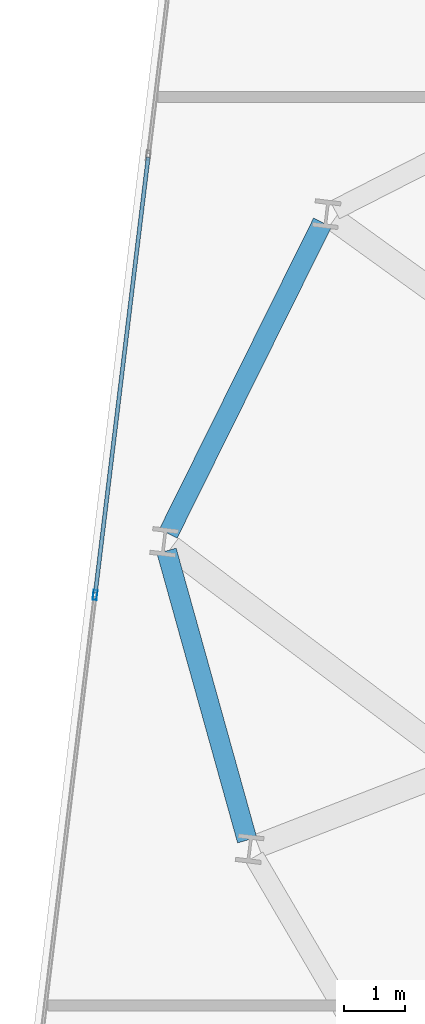
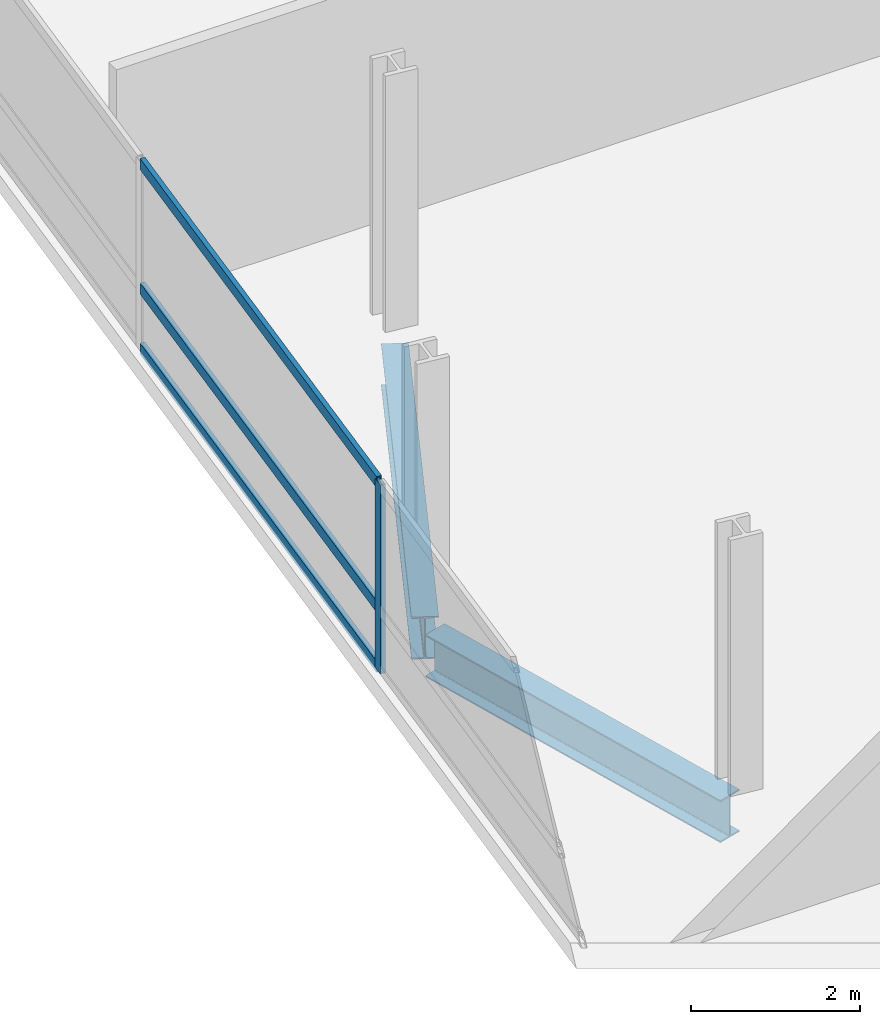
# One storey, part 8 of 25: 4 members, 2 beams, 1 element without a shape of its own.
"""IFC4 building model written with IfcOpenShell, lengths in metres."""

from ifc_helpers import new_model, si_unit, direction, frame, origin, origin_2d, place, context, subcontext, project, spatial, hollow_rectangle, i_section, extrude, material, layer, layer_set, material_profile, profile_set, type_object, element, aggregate, save


model = new_model("IFC4")

# Units and contexts
model_context = context("Model", 3, precision=1e-05, world=origin(), true_north=direction((0.0, 1.0)))
body_context = subcontext(model_context, "Body", "Model", "MODEL_VIEW")
ifc_project = project(units=[si_unit("LENGTHUNIT", "METRE"), si_unit("AREAUNIT", "SQUARE_METRE"), si_unit("VOLUMEUNIT", "CUBIC_METRE"), si_unit("PLANEANGLEUNIT", "RADIAN"), si_unit("MASSUNIT", "GRAM", prefix="KILO")], contexts=[model_context])

# Site, building, storey
site_placement = place(None, origin())
site = spatial("IfcSite", under=ifc_project, at=site_placement, CompositionType="ELEMENT")
building_placement = place(site_placement, origin())
building = spatial("IfcBuilding", under=site, at=building_placement, Name="Varnelok Gate Tower", CompositionType="ELEMENT")
storey_placement = place(building_placement, frame((0.0, 0.0, 136.5)))
storey = spatial("IfcBuildingStorey", under=building, at=storey_placement, Name="L34", CompositionType="ELEMENT", Elevation=136.5)

# Beams
ifc_material_1 = material(Name="Structural Steel ASTM A992 Grade 50", Category="steel")
ifc_material_profile_1 = material_profile(ifc_material_1, i_section(OverallWidth=0.323974609375, OverallDepth=0.611083984375, WebThickness=0.0126953125, FlangeThickness=0.01904296875, FilletRadius=0.01806640625, at=origin_2d()), Name="W24X104")
ifc_profile_set_1 = profile_set([ifc_material_profile_1], Name="Structural Steel ASTM A992 Grade 50")
beam_type = type_object("IfcBeamType", Name="BM-SPN-W24X104", PredefinedType="SPANDREL", material=ifc_profile_set_1)
beam_1_placement = place(storey_placement, frame((6.54052734375, 39.391357421875, -0.555419921875), z_axis=(-0.444186129993, -0.89593452993, 0.0), x_axis=(0.89593452993, -0.444186129993, 0.0)))
element("IfcBeam", 1, at=beam_1_placement, inside=storey, type_object=beam_type, Name="L34 Perimeter Spandrel Beam 14", PredefinedType="SPANDREL", context=body_context, shape_type="SweptSolid", body=[
    extrude(i_section(OverallWidth=0.323974609375, OverallDepth=0.611083984375, WebThickness=0.0126953125, FlangeThickness=0.01904296875, FilletRadius=0.01806640625, at=origin_2d()), origin(), (0.0, 0.0, 1.0), 5.649658203125),
])
beam_2_placement = place(storey_placement, frame((4.004638671875, 34.050537109375, -0.555419921875), z_axis=(0.268350251133, -0.963321411948, 0.0), x_axis=(0.963321411948, 0.268350251133, 0.0)))
element("IfcBeam", 2, at=beam_2_placement, inside=storey, type_object=beam_type, Name="L34 Perimeter Spandrel Beam 15", PredefinedType="SPANDREL", context=body_context, shape_type="SweptSolid", body=[
    extrude(i_section(OverallWidth=0.323974609375, OverallDepth=0.611083984375, WebThickness=0.0126953125, FlangeThickness=0.01904296875, FilletRadius=0.01806640625, at=origin_2d()), origin(), (0.0, 0.0, 1.0), 4.8837890625),
])

# Curtain wall, members
ifc_material_2 = material(Name="Anodized Aluminum Alloy 6063-T6", Category="aluminium")
ifc_layer = layer(ifc_material_2, 0.179931640625)
ifc_layer_set = layer_set([ifc_layer], Name="Anodized Aluminum Alloy 6063-T6")
curtain_wall_type = type_object("IfcCurtainWallType", Name="CW3-HOTEL-VISION", PredefinedType="USERDEFINED", material=ifc_layer_set)
curtain_wall_placement = place(storey_placement, origin())
curtain_wall = element("IfcCurtainWall", 3, at=curtain_wall_placement, inside=storey, type_object=curtain_wall_type, Name="L34 West End Vision Curtain Wall", ObjectType="UNITISED CURTAIN WALL", PredefinedType="USERDEFINED")
ifc_material_profile_2 = material_profile(ifc_material_2, hollow_rectangle(XDim=0.06494140625, YDim=0.159912109375, WallThickness=0.00390625, at=origin_2d()), Name="ALU160X65X4")
ifc_profile_set_2 = profile_set([ifc_material_profile_2], Name="Anodized Aluminum Alloy 6063-T6")
member_type_1 = type_object("IfcMemberType", Name="CW-MULL-160", PredefinedType="MULLION", material=ifc_profile_set_2)
member_1_placement = place(storey_placement, frame((2.842529296875, 33.333740234375, 0.0), z_axis=(0.0, 0.0, 1.0), x_axis=(-0.99273188146, 0.120347046212, 0.0)))
member_1 = element("IfcMember", 4, at=member_1_placement, type_object=member_type_1, Name="CW3 mullion 4", PredefinedType="MULLION", context=body_context, shape_type="SweptSolid", body=[
    extrude(hollow_rectangle(XDim=0.06494140625, YDim=0.159912109375, WallThickness=0.00390625, at=origin_2d()), origin(), (0.0, 0.0, 1.0), 2.72998046875),
])
ifc_material_profile_3 = material_profile(ifc_material_2, hollow_rectangle(XDim=0.06494140625, YDim=0.159912109375, WallThickness=0.00390625, at=origin_2d()), Name="ALU160X65X4")
ifc_profile_set_3 = profile_set([ifc_material_profile_3], Name="Anodized Aluminum Alloy 6063-T6")
member_type_2 = type_object("IfcMemberType", Name="CW-TRAN-160", PredefinedType="USERDEFINED", material=ifc_profile_set_3)
member_2_placement = place(storey_placement, frame((2.846435546875, 33.3662109375, 0.032470703125), z_axis=(0.120344652138, 0.992732171687, 0.0), x_axis=(-0.992732171687, 0.120344652138, 0.0)))
member_2 = element("IfcMember", 5, at=member_2_placement, type_object=member_type_2, Name="CW3 transom 4.1", ObjectType="TRANSOM", PredefinedType="USERDEFINED", context=body_context, shape_type="SweptSolid", body=[
    extrude(hollow_rectangle(XDim=0.06494140625, YDim=0.159912109375, WallThickness=0.00390625, at=origin_2d()), origin(), (0.0, 0.0, 1.0), 7.134765625),
])
member_3_placement = place(storey_placement, frame((2.846435546875, 33.3662109375, 0.89990234375), z_axis=(0.120344652138, 0.992732171687, 0.0), x_axis=(-0.992732171687, 0.120344652138, 0.0)))
member_3 = element("IfcMember", 6, at=member_3_placement, type_object=member_type_2, Name="CW3 transom 4.2", ObjectType="TRANSOM", PredefinedType="USERDEFINED", context=body_context, shape_type="SweptSolid", body=[
    extrude(hollow_rectangle(XDim=0.06494140625, YDim=0.159912109375, WallThickness=0.00390625, at=origin_2d()), origin(), (0.0, 0.0, 1.0), 7.134765625),
])
member_4_placement = place(storey_placement, frame((2.846435546875, 33.3662109375, 2.697509765625), z_axis=(0.120344652138, 0.992732171687, 0.0), x_axis=(-0.992732171687, 0.120344652138, 0.0)))
member_4 = element("IfcMember", 7, at=member_4_placement, type_object=member_type_2, Name="CW3 transom 4.3", ObjectType="TRANSOM", PredefinedType="USERDEFINED", context=body_context, shape_type="SweptSolid", body=[
    extrude(hollow_rectangle(XDim=0.06494140625, YDim=0.159912109375, WallThickness=0.00390625, at=origin_2d()), origin(), (0.0, 0.0, 1.0), 7.134765625),
])
aggregate(curtain_wall, [member_1, member_2, member_3, member_4])

save(model, "model.ifc")
